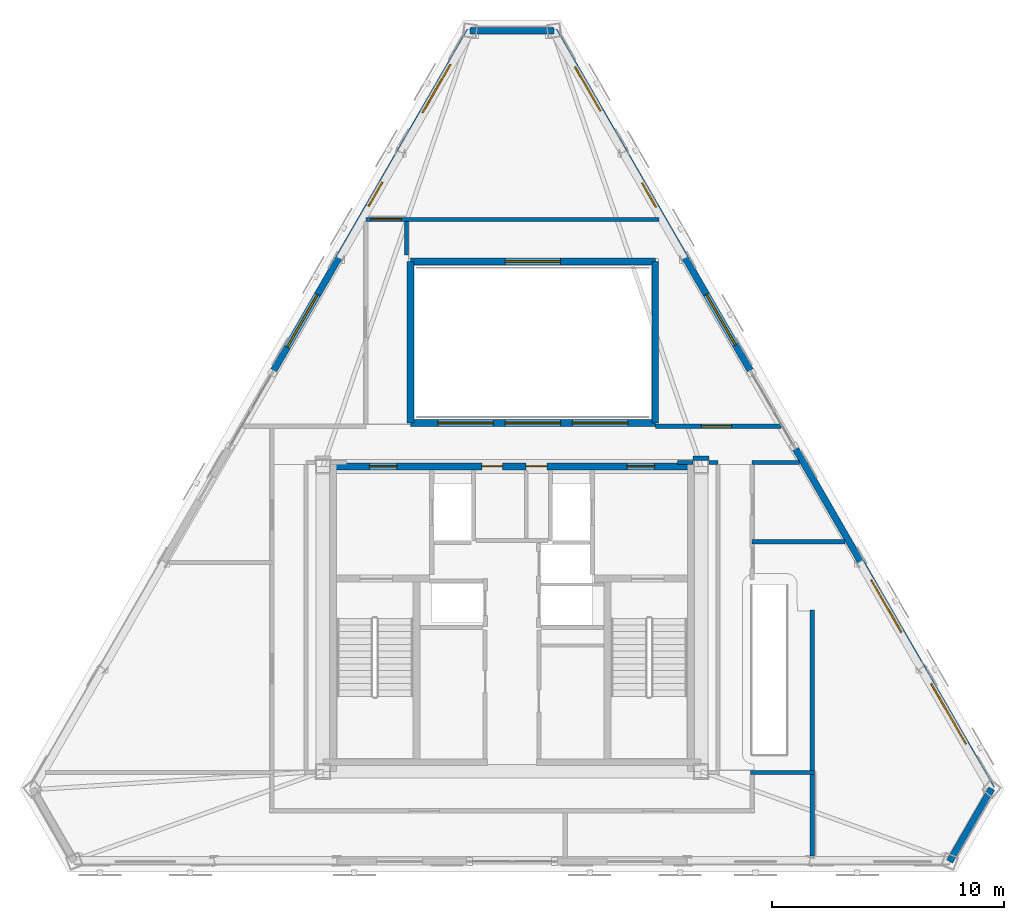
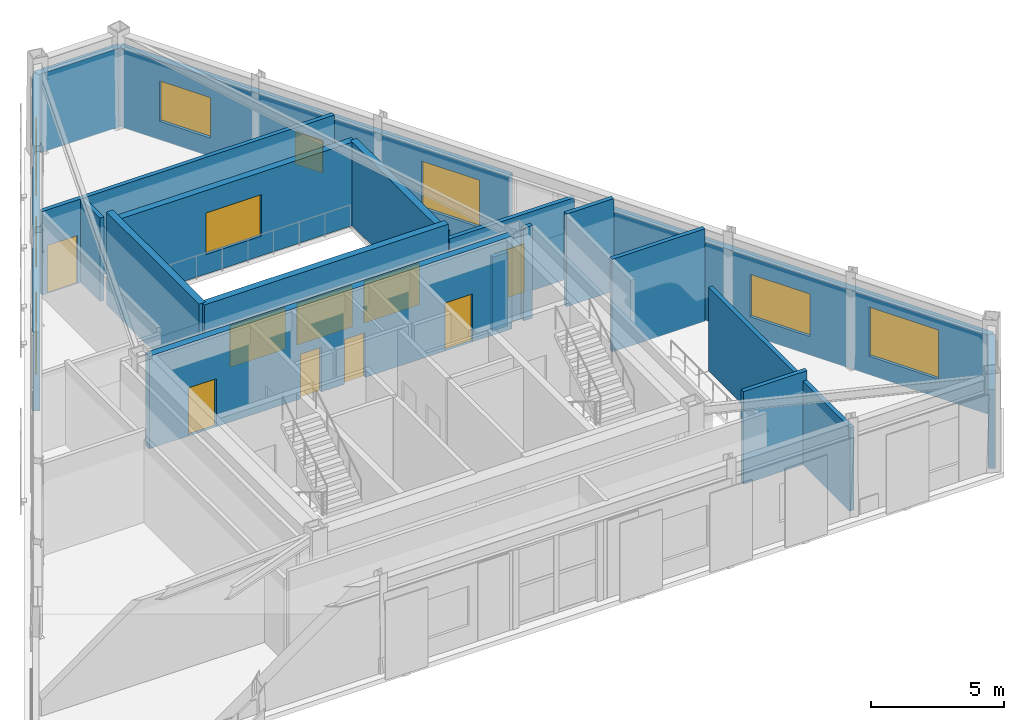
# One storey, part 10 of 14: 20 walls, 12 windows, 6 doors, 18 openings.
"""IFC4 building model written with IfcOpenShell, lengths in metres."""

from ifc_helpers import new_model, si_unit, direction, frame, frame_2d, origin, place, context, subcontext, project, spatial, rectangle, extrude, material, layer, layer_set, type_object, element, fill, save


model = new_model("IFC4")

# Units and contexts
model_context = context("Model", 3, precision=1e-05, world=origin(), true_north=direction((0.0, 1.0)))
body_context = subcontext(model_context, "Body", "Model", "MODEL_VIEW")
ifc_project = project(units=[si_unit("LENGTHUNIT", "METRE"), si_unit("AREAUNIT", "SQUARE_METRE"), si_unit("VOLUMEUNIT", "CUBIC_METRE"), si_unit("PLANEANGLEUNIT", "RADIAN"), si_unit("MASSUNIT", "GRAM", prefix="KILO")], contexts=[model_context])

# Site, building, storey
site_placement = place(None, origin())
site = spatial("IfcSite", under=ifc_project, at=site_placement, CompositionType="ELEMENT")
building_placement = place(site_placement, origin())
building = spatial("IfcBuilding", under=site, at=building_placement, Name="Oramaril Tower", CompositionType="ELEMENT")
storey_placement = place(building_placement, frame((0.0, 0.0, 309.60009765625)))
storey = spatial("IfcBuildingStorey", under=building, at=storey_placement, Name="L81", CompositionType="ELEMENT", Elevation=309.60009765625)

# Wall
ifc_material_1 = material(Name="Warm Cream Limestone", Category="masonry")
ifc_layer_1 = layer(ifc_material_1, 0.2900390625)
ifc_layer_set_1 = layer_set([ifc_layer_1], Name="WT-EXT29")
wall_type_1 = type_object("IfcWallType", Name="WT-EXT29", PredefinedType="SOLIDWALL", material=ifc_layer_set_1)
wall_1_placement = place(storey_placement, frame((56.37158203125, 7.109130859375, 0.0), z_axis=(0.0, 0.0, 1.0), x_axis=(0.499959265134, 0.866048920793, 0.0)))
element("IfcWall", 1, at=wall_1_placement, inside=storey, type_object=wall_type_1, Name="L81 Tower Limestone Facade Wall 3M", PredefinedType="SOLIDWALL", context=body_context, shape_type="SweptSolid", body=[
    extrude(rectangle(XDim=3.629150390625, YDim=0.2900390625, at=frame_2d((1.814453125, 0.0))), origin(), (0.0, 0.0, 1.0), 3.617919921875),
])

# Wall, openings, windows
wall_2_placement = place(storey_placement, frame((58.18603515625, 10.252197265625, 0.0), z_axis=(0.0, 0.0, 1.0), x_axis=(-0.500001379048, 0.866024607589, 0.0)))
wall_2 = element("IfcWall", 2, at=wall_2_placement, inside=storey, type_object=wall_type_1, Name="L81 Tower Limestone Facade Wall 4L", PredefinedType="SOLIDWALL", context=body_context, shape_type="SweptSolid", body=[
    extrude(rectangle(XDim=16.92138671875, YDim=0.2900390625, at=frame_2d((8.460693359375, 0.0))), origin(), (0.0, 0.0, 1.0), 3.617919921875),
])
opening_1_placement = place(wall_2_placement, frame((2.221923828125, 0.0, 0.85009765625)))
opening_1 = element("IfcOpeningElement", 3, at=opening_1_placement, cuts=wall_2, Name="Opening WN-10", PredefinedType="OPENING", context=body_context, shape_type="SweptSolid", body=[
    extrude(rectangle(XDim=3.0, YDim=2.25, at=frame_2d((1.5, 1.125))), frame((0.0, 0.14501953125, 0.0), z_axis=(0.0, -1.0, 0.0), x_axis=(1.0, 0.0, 0.0)), (0.0, 0.0, 1.0), 0.2900390625),
])
opening_2_placement = place(wall_2_placement, frame((7.7880859375, 0.0, 0.85009765625)))
opening_2 = element("IfcOpeningElement", 4, at=opening_2_placement, cuts=wall_2, Name="Opening WN-02", PredefinedType="OPENING", context=body_context, shape_type="SweptSolid", body=[
    extrude(rectangle(XDim=2.60009765625, YDim=1.949951171875, at=frame_2d((1.300048828125, 0.97509765625))), frame((0.0, 0.14501953125, 0.0), z_axis=(0.0, -1.0, 0.0), x_axis=(1.0, 0.0, 0.0)), (0.0, 0.0, 1.0), 0.2900390625),
])
ifc_material_2 = material(Name="Coastal Low-E Insulated Glass", Category="glass")
window_type_1 = type_object("IfcWindowType", Name="WNT-02", PartitioningType="SINGLE_PANEL", PredefinedType="WINDOW", material=ifc_material_2)
window_1_placement = place(opening_2_placement, origin())
window_1 = element("IfcWindow", 5, at=window_1_placement, inside=storey, type_object=window_type_1, Name="L81 Chicago Bay Window WN-02", OverallHeight=1.949951171875, OverallWidth=2.60009765625, PartitioningType="SINGLE_PANEL", PredefinedType="WINDOW", context=body_context, shape_type="SweptSolid", body=[
    extrude(rectangle(XDim=2.60009765625, YDim=1.949951171875, at=frame_2d((1.300048828125, 0.97509765625))), frame((0.0, 0.030029296875, 0.0), z_axis=(0.0, -1.0, 0.0), x_axis=(1.0, 0.0, 0.0)), (0.0, 0.0, 1.0), 0.06005859375),
])
fill(opening_2, window_1)
ifc_material_3 = material(Name="Coastal Low-E Insulated Glass", Category="glass")
window_type_2 = type_object("IfcWindowType", Name="WNT-10", PartitioningType="SINGLE_PANEL", PredefinedType="WINDOW", material=ifc_material_3)
window_2_placement = place(opening_1_placement, origin())
window_2 = element("IfcWindow", 6, at=window_2_placement, inside=storey, type_object=window_type_2, Name="L81 Chicago Bay Window WN-10", OverallHeight=2.25, OverallWidth=3.0, PartitioningType="SINGLE_PANEL", PredefinedType="WINDOW", context=body_context, shape_type="SweptSolid", body=[
    extrude(rectangle(XDim=3.0, YDim=2.25, at=frame_2d((1.5, 1.125))), frame((0.0, 0.030029296875, 0.0), z_axis=(0.0, -1.0, 0.0), x_axis=(1.0, 0.0, 0.0)), (0.0, 0.0, 1.0), 0.06005859375),
])
fill(opening_1, window_2)

wall_3_placement = place(storey_placement, frame((47.775390625, 28.2841796875, 0.0), z_axis=(0.0, 0.0, 1.0), x_axis=(-0.500005952404, 0.866021967135, 0.0)))
wall_3 = element("IfcWall", 7, at=wall_3_placement, inside=storey, type_object=wall_type_1, Name="L81 Tower Limestone Facade Wall 4R", PredefinedType="SOLIDWALL", context=body_context, shape_type="SweptSolid", body=[
    extrude(rectangle(XDim=16.921630859375, YDim=0.2900390625, at=frame_2d((8.4609375, 0.0))), origin(), (0.0, 0.0, 1.0), 3.617919921875),
])
opening_3_placement = place(wall_3_placement, frame((1.279052734375, 0.0, 0.85009765625)))
opening_3 = element("IfcOpeningElement", 8, at=opening_3_placement, cuts=wall_3, Name="Opening WN-11", PredefinedType="OPENING", context=body_context, shape_type="SweptSolid", body=[
    extrude(rectangle(XDim=2.5, YDim=2.14990234375, at=frame_2d((1.25, 1.074951171875))), frame((0.0, 0.14501953125, 0.0), z_axis=(0.0, -1.0, 0.0), x_axis=(1.0, 0.0, 0.0)), (0.0, 0.0, 1.0), 0.2900390625),
])
opening_4_placement = place(wall_3_placement, frame((8.1337890625, 0.0, 0.85009765625)))
opening_4 = element("IfcOpeningElement", 9, at=opening_4_placement, cuts=wall_3, Name="Opening WN-09", PredefinedType="OPENING", context=body_context, shape_type="SweptSolid", body=[
    extrude(rectangle(XDim=1.199951171875, YDim=1.47998046875, at=frame_2d((0.60009765625, 0.739990234375))), frame((0.0, 0.14501953125, 0.0), z_axis=(0.0, -1.0, 0.0), x_axis=(1.0, 0.0, 0.0)), (0.0, 0.0, 1.0), 0.2900390625),
])
opening_5_placement = place(wall_3_placement, frame((12.92578125, 0.0, 0.85009765625)))
opening_5 = element("IfcOpeningElement", 10, at=opening_5_placement, cuts=wall_3, Name="Opening WN-04", PredefinedType="OPENING", context=body_context, shape_type="SweptSolid", body=[
    extrude(rectangle(XDim=2.199951171875, YDim=1.85009765625, at=frame_2d((1.10009765625, 0.925048828125))), frame((0.0, 0.14501953125, 0.0), z_axis=(0.0, -1.0, 0.0), x_axis=(1.0, 0.0, 0.0)), (0.0, 0.0, 1.0), 0.2900390625),
])
ifc_material_4 = material(Name="Coastal Low-E Insulated Glass", Category="glass")
window_type_3 = type_object("IfcWindowType", Name="WNT-04", PartitioningType="SINGLE_PANEL", PredefinedType="WINDOW", material=ifc_material_4)
window_3_placement = place(opening_5_placement, origin())
window_3 = element("IfcWindow", 11, at=window_3_placement, inside=storey, type_object=window_type_3, Name="L81 Chicago Bay Window WN-04", OverallHeight=1.85009765625, OverallWidth=2.199951171875, PartitioningType="SINGLE_PANEL", PredefinedType="WINDOW", context=body_context, shape_type="SweptSolid", body=[
    extrude(rectangle(XDim=2.199951171875, YDim=1.85009765625, at=frame_2d((1.10009765625, 0.925048828125))), frame((0.0, 0.030029296875, 0.0), z_axis=(0.0, -1.0, 0.0), x_axis=(1.0, 0.0, 0.0)), (0.0, 0.0, 1.0), 0.06005859375),
])
fill(opening_5, window_3)
ifc_material_5 = material(Name="Coastal Low-E Insulated Glass", Category="glass")
window_type_4 = type_object("IfcWindowType", Name="WNT-09", PartitioningType="SINGLE_PANEL", PredefinedType="WINDOW", material=ifc_material_5)
window_4_placement = place(opening_4_placement, origin())
window_4 = element("IfcWindow", 12, at=window_4_placement, inside=storey, type_object=window_type_4, Name="L81 Chicago Bay Window WN-09", OverallHeight=1.47998046875, OverallWidth=1.199951171875, PartitioningType="SINGLE_PANEL", PredefinedType="WINDOW", context=body_context, shape_type="SweptSolid", body=[
    extrude(rectangle(XDim=1.199951171875, YDim=1.47998046875, at=frame_2d((0.60009765625, 0.739990234375))), frame((0.0, 0.030029296875, 0.0), z_axis=(0.0, -1.0, 0.0), x_axis=(1.0, 0.0, 0.0)), (0.0, 0.0, 1.0), 0.06005859375),
])
fill(opening_4, window_4)
ifc_material_6 = material(Name="Coastal Low-E Insulated Glass", Category="glass")
window_type_5 = type_object("IfcWindowType", Name="WNT-11", PartitioningType="SINGLE_PANEL", PredefinedType="WINDOW", material=ifc_material_6)
window_5_placement = place(opening_3_placement, origin())
window_5 = element("IfcWindow", 13, at=window_5_placement, inside=storey, type_object=window_type_5, Name="L81 Chicago Bay Window WN-11", OverallHeight=2.14990234375, OverallWidth=2.5, PartitioningType="SINGLE_PANEL", PredefinedType="WINDOW", context=body_context, shape_type="SweptSolid", body=[
    extrude(rectangle(XDim=2.5, YDim=2.14990234375, at=frame_2d((1.25, 1.074951171875))), frame((0.0, 0.030029296875, 0.0), z_axis=(0.0, -1.0, 0.0), x_axis=(1.0, 0.0, 0.0)), (0.0, 0.0, 1.0), 0.06005859375),
])
fill(opening_3, window_5)

# Wall
wall_4_placement = place(storey_placement, frame((39.314453125, 42.938720703125, 0.0), z_axis=(0.0, 0.0, 1.0), x_axis=(-1.0, 0.0, 0.0)))
element("IfcWall", 14, at=wall_4_placement, inside=storey, type_object=wall_type_1, Name="L81 Tower Limestone Facade Wall 5M", PredefinedType="SOLIDWALL", context=body_context, shape_type="SweptSolid", body=[
    extrude(rectangle(XDim=3.62890625, YDim=0.2900390625, at=frame_2d((1.814453125, 0.0))), origin(), (0.0, 0.0, 1.0), 3.617919921875),
])

# Wall, openings, windows
wall_5_placement = place(storey_placement, frame((35.685546875, 42.938720703125, 0.0), z_axis=(0.0, 0.0, 1.0), x_axis=(-0.500005952404, -0.866021967135, 0.0)))
wall_5 = element("IfcWall", 15, at=wall_5_placement, inside=storey, type_object=wall_type_1, Name="L81 Tower Limestone Facade Wall 6L", PredefinedType="SOLIDWALL", context=body_context, shape_type="SweptSolid", body=[
    extrude(rectangle(XDim=16.921630859375, YDim=0.2900390625, at=frame_2d((8.4609375, 0.0))), origin(), (0.0, 0.0, 1.0), 3.617919921875),
])
opening_6_placement = place(wall_5_placement, frame((13.1494140625, 0.0, 0.85009765625)))
opening_6 = element("IfcOpeningElement", 16, at=opening_6_placement, cuts=wall_5, Name="Opening WN-02", PredefinedType="OPENING", context=body_context, shape_type="SweptSolid", body=[
    extrude(rectangle(XDim=2.60009765625, YDim=1.949951171875, at=frame_2d((1.300048828125, 0.97509765625))), frame((0.0, 0.14501953125, 0.0), z_axis=(0.0, -1.0, 0.0), x_axis=(1.0, 0.0, 0.0)), (0.0, 0.0, 1.0), 0.2900390625),
])
opening_7_placement = place(wall_5_placement, frame((1.681640625, 0.0, 0.85009765625)))
opening_7 = element("IfcOpeningElement", 17, at=opening_7_placement, cuts=wall_5, Name="Opening WN-03", PredefinedType="OPENING", context=body_context, shape_type="SweptSolid", body=[
    extrude(rectangle(XDim=2.39990234375, YDim=1.89990234375, at=frame_2d((1.199951171875, 0.949951171875))), frame((0.0, 0.14501953125, 0.0), z_axis=(0.0, -1.0, 0.0), x_axis=(1.0, 0.0, 0.0)), (0.0, 0.0, 1.0), 0.2900390625),
])
opening_8_placement = place(wall_5_placement, frame((7.544677734375, 0.0, 0.85009765625)))
opening_8 = element("IfcOpeningElement", 18, at=opening_8_placement, cuts=wall_5, Name="Opening WN-09", PredefinedType="OPENING", context=body_context, shape_type="SweptSolid", body=[
    extrude(rectangle(XDim=1.199951171875, YDim=1.47998046875, at=frame_2d((0.60009765625, 0.739990234375))), frame((0.0, 0.14501953125, 0.0), z_axis=(0.0, -1.0, 0.0), x_axis=(1.0, 0.0, 0.0)), (0.0, 0.0, 1.0), 0.2900390625),
])
window_6_placement = place(opening_6_placement, origin())
window_6 = element("IfcWindow", 19, at=window_6_placement, inside=storey, type_object=window_type_1, Name="L81 Chicago Bay Window WN-02", OverallHeight=1.949951171875, OverallWidth=2.60009765625, PartitioningType="SINGLE_PANEL", PredefinedType="WINDOW", context=body_context, shape_type="SweptSolid", body=[
    extrude(rectangle(XDim=2.60009765625, YDim=1.949951171875, at=frame_2d((1.300048828125, 0.97509765625))), frame((0.0, 0.030029296875, 0.0), z_axis=(0.0, -1.0, 0.0), x_axis=(1.0, 0.0, 0.0)), (0.0, 0.0, 1.0), 0.06005859375),
])
fill(opening_6, window_6)
ifc_material_7 = material(Name="Coastal Low-E Insulated Glass", Category="glass")
window_type_6 = type_object("IfcWindowType", Name="WNT-03", PartitioningType="SINGLE_PANEL", PredefinedType="WINDOW", material=ifc_material_7)
window_7_placement = place(opening_7_placement, origin())
window_7 = element("IfcWindow", 20, at=window_7_placement, inside=storey, type_object=window_type_6, Name="L81 Chicago Bay Window WN-03", OverallHeight=1.89990234375, OverallWidth=2.39990234375, PartitioningType="SINGLE_PANEL", PredefinedType="WINDOW", context=body_context, shape_type="SweptSolid", body=[
    extrude(rectangle(XDim=2.39990234375, YDim=1.89990234375, at=frame_2d((1.199951171875, 0.949951171875))), frame((0.0, 0.030029296875, 0.0), z_axis=(0.0, -1.0, 0.0), x_axis=(1.0, 0.0, 0.0)), (0.0, 0.0, 1.0), 0.06005859375),
])
fill(opening_7, window_7)
window_8_placement = place(opening_8_placement, origin())
window_8 = element("IfcWindow", 21, at=window_8_placement, inside=storey, type_object=window_type_4, Name="L81 Chicago Bay Window WN-09", OverallHeight=1.47998046875, OverallWidth=1.199951171875, PartitioningType="SINGLE_PANEL", PredefinedType="WINDOW", context=body_context, shape_type="SweptSolid", body=[
    extrude(rectangle(XDim=1.199951171875, YDim=1.47998046875, at=frame_2d((0.60009765625, 0.739990234375))), frame((0.0, 0.030029296875, 0.0), z_axis=(0.0, -1.0, 0.0), x_axis=(1.0, 0.0, 0.0)), (0.0, 0.0, 1.0), 0.06005859375),
])
fill(opening_8, window_8)

wall_6_placement = place(storey_placement, frame((33.1201171875, 26.02001953125, 0.0), z_axis=(0.0, 0.0, 1.0), x_axis=(1.0, 0.0, 0.0)))
wall_6 = element("IfcWall", 22, at=wall_6_placement, inside=storey, type_object=wall_type_1, Name="L81 Wind Portal S Observatory Wall", PredefinedType="SOLIDWALL", context=body_context, shape_type="SweptSolid", body=[
    extrude(rectangle(XDim=10.559814453125, YDim=0.2900390625, at=frame_2d((5.27978515625, 0.0))), origin(), (0.0, 0.0, 1.0), 4.239990234375),
])
opening_9_placement = place(wall_6_placement, frame((1.179931640625, 0.0, 0.89990234375)))
opening_9 = element("IfcOpeningElement", 23, at=opening_9_placement, cuts=wall_6, Name="Opening WN-03", PredefinedType="OPENING", context=body_context, shape_type="SweptSolid", body=[
    extrude(rectangle(XDim=2.39990234375, YDim=1.89990234375, at=frame_2d((1.199951171875, 0.949951171875))), frame((0.0, 0.14501953125, 0.0), z_axis=(0.0, -1.0, 0.0), x_axis=(1.0, 0.0, 0.0)), (0.0, 0.0, 1.0), 0.2900390625),
])
opening_10_placement = place(wall_6_placement, frame((4.080078125, 0.0, 0.89990234375)))
opening_10 = element("IfcOpeningElement", 24, at=opening_10_placement, cuts=wall_6, Name="Opening WN-03", PredefinedType="OPENING", context=body_context, shape_type="SweptSolid", body=[
    extrude(rectangle(XDim=2.39990234375, YDim=1.89990234375, at=frame_2d((1.199951171875, 0.949951171875))), frame((0.0, 0.14501953125, 0.0), z_axis=(0.0, -1.0, 0.0), x_axis=(1.0, 0.0, 0.0)), (0.0, 0.0, 1.0), 0.2900390625),
])
opening_11_placement = place(wall_6_placement, frame((6.97998046875, 0.0, 0.89990234375)))
opening_11 = element("IfcOpeningElement", 25, at=opening_11_placement, cuts=wall_6, Name="Opening WN-03", PredefinedType="OPENING", context=body_context, shape_type="SweptSolid", body=[
    extrude(rectangle(XDim=2.39990234375, YDim=1.89990234375, at=frame_2d((1.199951171875, 0.949951171875))), frame((0.0, 0.14501953125, 0.0), z_axis=(0.0, -1.0, 0.0), x_axis=(1.0, 0.0, 0.0)), (0.0, 0.0, 1.0), 0.2900390625),
])
window_9_placement = place(opening_9_placement, origin())
window_9 = element("IfcWindow", 26, at=window_9_placement, inside=storey, type_object=window_type_6, Name="L81 Wind Portal Observatory Window 1", OverallHeight=1.89990234375, OverallWidth=2.39990234375, PartitioningType="SINGLE_PANEL", PredefinedType="WINDOW", context=body_context, shape_type="SweptSolid", body=[
    extrude(rectangle(XDim=2.39990234375, YDim=1.89990234375, at=frame_2d((1.199951171875, 0.949951171875))), frame((0.0, 0.030029296875, 0.0), z_axis=(0.0, -1.0, 0.0), x_axis=(1.0, 0.0, 0.0)), (0.0, 0.0, 1.0), 0.06005859375),
])
fill(opening_9, window_9)
window_10_placement = place(opening_10_placement, origin())
window_10 = element("IfcWindow", 27, at=window_10_placement, inside=storey, type_object=window_type_6, Name="L81 Wind Portal Observatory Window 2", OverallHeight=1.89990234375, OverallWidth=2.39990234375, PartitioningType="SINGLE_PANEL", PredefinedType="WINDOW", context=body_context, shape_type="SweptSolid", body=[
    extrude(rectangle(XDim=2.39990234375, YDim=1.89990234375, at=frame_2d((1.199951171875, 0.949951171875))), frame((0.0, 0.030029296875, 0.0), z_axis=(0.0, -1.0, 0.0), x_axis=(1.0, 0.0, 0.0)), (0.0, 0.0, 1.0), 0.06005859375),
])
fill(opening_10, window_10)
window_11_placement = place(opening_11_placement, origin())
window_11 = element("IfcWindow", 28, at=window_11_placement, inside=storey, type_object=window_type_6, Name="L81 Wind Portal Observatory Window 3", OverallHeight=1.89990234375, OverallWidth=2.39990234375, PartitioningType="SINGLE_PANEL", PredefinedType="WINDOW", context=body_context, shape_type="SweptSolid", body=[
    extrude(rectangle(XDim=2.39990234375, YDim=1.89990234375, at=frame_2d((1.199951171875, 0.949951171875))), frame((0.0, 0.030029296875, 0.0), z_axis=(0.0, -1.0, 0.0), x_axis=(1.0, 0.0, 0.0)), (0.0, 0.0, 1.0), 0.06005859375),
])
fill(opening_11, window_11)

# Wall, opening, window
wall_7_placement = place(storey_placement, frame((33.1201171875, 32.97998046875, 0.0), z_axis=(0.0, 0.0, 1.0), x_axis=(1.0, 0.0, 0.0)))
wall_7 = element("IfcWall", 29, at=wall_7_placement, inside=storey, type_object=wall_type_1, Name="L81 Wind Portal N Observatory Wall", PredefinedType="SOLIDWALL", context=body_context, shape_type="SweptSolid", body=[
    extrude(rectangle(XDim=10.559814453125, YDim=0.2900390625, at=frame_2d((5.27978515625, 0.0))), origin(), (0.0, 0.0, 1.0), 3.825927734375),
])
opening_12_placement = place(wall_7_placement, frame((4.080078125, 0.0, 0.89990234375)))
opening_12 = element("IfcOpeningElement", 30, at=opening_12_placement, cuts=wall_7, Name="Opening WN-03", PredefinedType="OPENING", context=body_context, shape_type="SweptSolid", body=[
    extrude(rectangle(XDim=2.39990234375, YDim=1.89990234375, at=frame_2d((1.199951171875, 0.949951171875))), frame((0.0, 0.14501953125, 0.0), z_axis=(0.0, -1.0, 0.0), x_axis=(1.0, 0.0, 0.0)), (0.0, 0.0, 1.0), 0.2900390625),
])
window_12_placement = place(opening_12_placement, origin())
window_12 = element("IfcWindow", 31, at=window_12_placement, inside=storey, type_object=window_type_6, Name="L81 Wind Portal North Observatory Window", OverallHeight=1.89990234375, OverallWidth=2.39990234375, PartitioningType="SINGLE_PANEL", PredefinedType="WINDOW", context=body_context, shape_type="SweptSolid", body=[
    extrude(rectangle(XDim=2.39990234375, YDim=1.89990234375, at=frame_2d((1.199951171875, 0.949951171875))), frame((0.0, 0.030029296875, 0.0), z_axis=(0.0, -1.0, 0.0), x_axis=(1.0, 0.0, 0.0)), (0.0, 0.0, 1.0), 0.06005859375),
])
fill(opening_12, window_12)

# Walls
wall_8_placement = place(storey_placement, frame((33.1201171875, 26.02001953125, 0.0), z_axis=(0.0, 0.0, 1.0), x_axis=(0.0, 1.0, 0.0)))
element("IfcWall", 32, at=wall_8_placement, inside=storey, type_object=wall_type_1, Name="L81 Wind Portal W Observatory Wall", PredefinedType="SOLIDWALL", context=body_context, shape_type="SweptSolid", body=[
    extrude(rectangle(XDim=6.9599609375, YDim=0.2900390625, at=frame_2d((3.47998046875, 0.0))), origin(), (0.0, 0.0, 1.0), 4.239990234375),
])
wall_9_placement = place(storey_placement, frame((43.679931640625, 26.02001953125, 0.0), z_axis=(0.0, 0.0, 1.0), x_axis=(0.0, 1.0, 0.0)))
element("IfcWall", 33, at=wall_9_placement, inside=storey, type_object=wall_type_1, Name="L81 Wind Portal E Observatory Wall", PredefinedType="SOLIDWALL", context=body_context, shape_type="SweptSolid", body=[
    extrude(rectangle(XDim=6.9599609375, YDim=0.2900390625, at=frame_2d((3.47998046875, 0.0))), origin(), (0.0, 0.0, 1.0), 3.825927734375),
])
ifc_material_8 = material(Name="Autoclaved Cellular Concrete Block", Category="concrete")
ifc_layer_2 = layer(ifc_material_8, 0.179931640625)
ifc_layer_set_2 = layer_set([ifc_layer_2], Name="WT-PT18")
wall_type_2 = type_object("IfcWallType", Name="WT-PT18", PredefinedType="PARTITIONING", material=ifc_layer_set_2)
wall_10_placement = place(storey_placement, frame((47.7900390625, 10.949951171875, 0.0), z_axis=(0.0, 0.0, 1.0), x_axis=(1.0, 0.0, 0.0)))
element("IfcWall", 34, at=wall_10_placement, inside=storey, type_object=wall_type_2, Name="L81 Interior Partition PT-18", PredefinedType="PARTITIONING", context=body_context, shape_type="SweptSolid", body=[
    extrude(rectangle(XDim=2.760009765625, YDim=0.179931640625, at=frame_2d((1.3798828125, 0.0))), origin(), (0.0, 0.0, 1.0), 4.239990234375),
])
wall_11_placement = place(storey_placement, frame((47.85009765625, 20.89990234375, 0.0), z_axis=(0.0, 0.0, 1.0), x_axis=(1.0, 0.0, 0.0)))
element("IfcWall", 35, at=wall_11_placement, inside=storey, type_object=wall_type_2, Name="L81 Interior Partition PT-18", PredefinedType="PARTITIONING", context=body_context, shape_type="SweptSolid", body=[
    extrude(rectangle(XDim=4.016357421875, YDim=0.179931640625, at=frame_2d((2.00830078125, 0.0))), origin(), (0.0, 0.0, 1.0), 4.239990234375),
])
wall_12_placement = place(storey_placement, frame((44.64501953125, 24.320068359375, 0.0), z_axis=(0.0, 0.0, 1.0), x_axis=(1.0, 0.0, 0.0)))
element("IfcWall", 36, at=wall_12_placement, inside=storey, type_object=wall_type_2, Name="L81 Interior Partition PT-18", PredefinedType="PARTITIONING", context=body_context, shape_type="SweptSolid", body=[
    extrude(rectangle(XDim=0.6650390625, YDim=0.179931640625, at=frame_2d((0.33251953125, 0.0))), origin(), (0.0, 0.0, 1.0), 3.3798828125),
])
wall_13_placement = place(storey_placement, frame((45.989990234375, 24.320068359375, 0.0), z_axis=(0.0, 0.0, 1.0), x_axis=(1.0, 0.0, 0.0)))
element("IfcWall", 37, at=wall_13_placement, inside=storey, type_object=wall_type_2, Name="L81 Interior Partition PT-18", PredefinedType="PARTITIONING", context=body_context, shape_type="SweptSolid", body=[
    extrude(rectangle(XDim=0.389892578125, YDim=0.179931640625, at=frame_2d((0.19482421875, 0.0))), origin(), (0.0, 0.0, 1.0), 4.239990234375),
])
wall_14_placement = place(storey_placement, frame((47.85009765625, 24.320068359375, 0.0), z_axis=(0.0, 0.0, 1.0), x_axis=(1.0, 0.0, 0.0)))
element("IfcWall", 38, at=wall_14_placement, inside=storey, type_object=wall_type_2, Name="L81 Interior Partition PT-18", PredefinedType="PARTITIONING", context=body_context, shape_type="SweptSolid", body=[
    extrude(rectangle(XDim=2.041748046875, YDim=0.179931640625, at=frame_2d((1.02099609375, 0.0))), origin(), (0.0, 0.0, 1.0), 4.239990234375),
])
wall_15_placement = place(storey_placement, frame((45.304931640625, 24.5, 0.0), z_axis=(0.0, 0.0, 1.0), x_axis=(1.0, 0.0, 0.0)))
element("IfcWall", 39, at=wall_15_placement, inside=storey, type_object=wall_type_2, Name="L81 Interior Partition PT-18", PredefinedType="PARTITIONING", context=body_context, shape_type="SweptSolid", body=[
    extrude(rectangle(XDim=0.690185546875, YDim=0.179931640625, at=frame_2d((0.34521484375, 0.0))), origin(), (0.0, 0.0, 1.0), 3.825927734375),
])

# Wall, opening, door
wall_16_placement = place(storey_placement, frame((43.679931640625, 25.8798828125, 0.0), z_axis=(0.0, 0.0, 1.0), x_axis=(1.0, 0.0, 0.0)))
wall_16 = element("IfcWall", 40, at=wall_16_placement, inside=storey, type_object=wall_type_2, Name="L81 Interior Partition PT-18", PredefinedType="PARTITIONING", context=body_context, shape_type="SweptSolid", body=[
    extrude(rectangle(XDim=5.419677734375, YDim=0.179931640625, at=frame_2d((2.7099609375, 0.0))), origin(), (0.0, 0.0, 1.0), 3.617919921875),
])
opening_13_placement = place(wall_16_placement, frame((1.99169921875, 0.0, 0.0)))
opening_13 = element("IfcOpeningElement", 41, at=opening_13_placement, cuts=wall_16, Name="Opening D-L81-03", PredefinedType="OPENING", context=body_context, shape_type="SweptSolid", body=[
    extrude(rectangle(XDim=1.300048828125, YDim=2.199951171875, at=frame_2d((0.64990234375, 1.10009765625))), frame((0.0, 0.08984375, 0.0), z_axis=(0.0, -1.0, 0.0), x_axis=(1.0, 0.0, 0.0)), (0.0, 0.0, 1.0), 0.179931640625),
])
ifc_material_9 = material(Name="FSC Brazilian Freijo Hardwood", Category="wood")
door_type_1 = type_object("IfcDoorType", Name="DT-COM", OperationType="NOTDEFINED", PredefinedType="DOOR", material=ifc_material_9)
door_1_placement = place(opening_13_placement, origin())
door_1 = element("IfcDoor", 42, at=door_1_placement, inside=storey, type_object=door_type_1, Name="L81 L81 East Portal Viewing Salon Door D-L81-03", OperationType="SINGLE_SWING_LEFT", OverallHeight=2.199951171875, OverallWidth=1.300048828125, PredefinedType="DOOR", context=body_context, shape_type="SweptSolid", body=[
    extrude(rectangle(XDim=1.300048828125, YDim=2.199951171875, at=frame_2d((0.64990234375, 1.10009765625))), frame((0.0, 0.02490234375, 0.0), z_axis=(0.0, -1.0, 0.0), x_axis=(1.0, 0.0, 0.0)), (0.0, 0.0, 1.0), 0.050048828125),
])
fill(opening_13, door_1)

wall_17_placement = place(storey_placement, frame((31.199951171875, 34.800048828125, 0.0), z_axis=(0.0, 0.0, 1.0), x_axis=(1.0, 0.0, 0.0)))
wall_17 = element("IfcWall", 43, at=wall_17_placement, inside=storey, type_object=wall_type_2, Name="L81 Interior Partition PT-18", PredefinedType="PARTITIONING", context=body_context, shape_type="SweptSolid", body=[
    extrude(rectangle(XDim=12.641357421875, YDim=0.179931640625, at=frame_2d((6.32080078125, 0.0))), origin(), (0.0, 0.0, 1.0), 3.825927734375),
])
opening_14_placement = place(wall_17_placement, frame((0.22509765625, 0.0, 0.0)))
opening_14 = element("IfcOpeningElement", 44, at=opening_14_placement, cuts=wall_17, Name="Opening D-L81-04", PredefinedType="OPENING", context=body_context, shape_type="SweptSolid", body=[
    extrude(rectangle(XDim=1.300048828125, YDim=2.199951171875, at=frame_2d((0.64990234375, 1.10009765625))), frame((0.0, 0.08984375, 0.0), z_axis=(0.0, -1.0, 0.0), x_axis=(1.0, 0.0, 0.0)), (0.0, 0.0, 1.0), 0.179931640625),
])
door_2_placement = place(opening_14_placement, origin())
door_2 = element("IfcDoor", 45, at=door_2_placement, inside=storey, type_object=door_type_1, Name="L81 L81 North Starlight Observatory Salon Door D-L81-04", OperationType="SINGLE_SWING_RIGHT", OverallHeight=2.199951171875, OverallWidth=1.300048828125, PredefinedType="DOOR", context=body_context, shape_type="SweptSolid", body=[
    extrude(rectangle(XDim=1.300048828125, YDim=2.199951171875, at=frame_2d((0.64990234375, 1.10009765625))), frame((0.0, 0.02490234375, 0.0), z_axis=(0.0, -1.0, 0.0), x_axis=(1.0, 0.0, 0.0)), (0.0, 0.0, 1.0), 0.050048828125),
])
fill(opening_14, door_2)

# Walls
wall_18_placement = place(storey_placement, frame((32.949951171875, 33.260009765625, 0.0), z_axis=(0.0, 0.0, 1.0), x_axis=(0.0, 1.0, 0.0)))
element("IfcWall", 46, at=wall_18_placement, inside=storey, type_object=wall_type_2, Name="L81 Interior Partition PT-18", PredefinedType="PARTITIONING", context=body_context, shape_type="SweptSolid", body=[
    extrude(rectangle(XDim=1.446044921875, YDim=0.179931640625, at=frame_2d((0.72314453125, 0.0))), origin(), (0.0, 0.0, 1.0), 3.825927734375),
])
wall_19_placement = place(storey_placement, frame((50.449951171875, 7.33837890625, 0.0), z_axis=(0.0, 0.0, 1.0), x_axis=(0.0, 1.0, 0.0)))
element("IfcWall", 47, at=wall_19_placement, inside=storey, type_object=wall_type_2, Name="L81 Interior Partition PT-18", PredefinedType="PARTITIONING", context=body_context, shape_type="SweptSolid", body=[
    extrude(rectangle(XDim=10.611572265625, YDim=0.179931640625, at=frame_2d((5.3056640625, 0.0))), origin(), (0.0, 0.0, 1.0), 3.825927734375),
])

# Wall, openings, doors
ifc_material_10 = material(Name="Concrete C50/60", Category="concrete")
ifc_layer_3 = layer(ifc_material_10, 0.300048828125)
ifc_layer_set_3 = layer_set([ifc_layer_3], Name="WT-SH30")
wall_type_3 = type_object("IfcWallType", Name="WT-SH30", PredefinedType="SHEAR", material=ifc_layer_set_3)
wall_20_placement = place(storey_placement, frame((29.64990234375, 24.14990234375, 0.0), z_axis=(0.0, 0.0, 1.0), x_axis=(1.0, 0.0, 0.0)))
wall_20 = element("IfcWall", 48, at=wall_20_placement, inside=storey, type_object=wall_type_3, Name="L81 Core Shear Wall CW-N", PredefinedType="SHEAR", context=body_context, shape_type="SweptSolid", body=[
    extrude(rectangle(XDim=15.7001953125, YDim=0.300048828125, at=frame_2d((7.85009765625, 0.0))), origin(), (0.0, 0.0, 1.0), 4.239990234375),
])
opening_15_placement = place(wall_20_placement, frame((1.699951171875, 0.0, 0.0)))
opening_15 = element("IfcOpeningElement", 49, at=opening_15_placement, cuts=wall_20, Name="Opening D-L81-FFL1", PredefinedType="OPENING", context=body_context, shape_type="SweptSolid", body=[
    extrude(rectangle(XDim=1.199951171875, YDim=2.199951171875, at=frame_2d((0.60009765625, 1.10009765625))), frame((0.0, 0.14990234375, 0.0), z_axis=(0.0, -1.0, 0.0), x_axis=(1.0, 0.0, 0.0)), (0.0, 0.0, 1.0), 0.300048828125),
])
opening_16_placement = place(wall_20_placement, frame((12.800048828125, 0.0, 0.0)))
opening_16 = element("IfcOpeningElement", 50, at=opening_16_placement, cuts=wall_20, Name="Opening D-L81-FFL2", PredefinedType="OPENING", context=body_context, shape_type="SweptSolid", body=[
    extrude(rectangle(XDim=1.199951171875, YDim=2.199951171875, at=frame_2d((0.60009765625, 1.10009765625))), frame((0.0, 0.14990234375, 0.0), z_axis=(0.0, -1.0, 0.0), x_axis=(1.0, 0.0, 0.0)), (0.0, 0.0, 1.0), 0.300048828125),
])
opening_17_placement = place(wall_20_placement, frame((6.550048828125, 0.0, 0.0)))
opening_17 = element("IfcOpeningElement", 51, at=opening_17_placement, cuts=wall_20, Name="Opening D-L81-SV1", PredefinedType="OPENING", context=body_context, shape_type="SweptSolid", body=[
    extrude(rectangle(XDim=0.89990234375, YDim=2.050048828125, at=frame_2d((0.449951171875, 1.02490234375))), frame((0.0, 0.14990234375, 0.0), z_axis=(0.0, -1.0, 0.0), x_axis=(1.0, 0.0, 0.0)), (0.0, 0.0, 1.0), 0.300048828125),
])
opening_18_placement = place(wall_20_placement, frame((8.449951171875, 0.0, 0.0)))
opening_18 = element("IfcOpeningElement", 52, at=opening_18_placement, cuts=wall_20, Name="Opening D-L81-SV2", PredefinedType="OPENING", context=body_context, shape_type="SweptSolid", body=[
    extrude(rectangle(XDim=0.89990234375, YDim=2.050048828125, at=frame_2d((0.449951171875, 1.02490234375))), frame((0.0, 0.14990234375, 0.0), z_axis=(0.0, -1.0, 0.0), x_axis=(1.0, 0.0, 0.0)), (0.0, 0.0, 1.0), 0.300048828125),
])
ifc_material_11 = material(Name="Painted Galvanised Steel", Category="steel")
door_type_2 = type_object("IfcDoorType", Name="DT-FFL", OperationType="NOTDEFINED", PredefinedType="DOOR", material=ifc_material_11)
door_3_placement = place(opening_15_placement, origin())
door_3 = element("IfcDoor", 53, at=door_3_placement, inside=storey, type_object=door_type_2, Name="L81 Firefighting Lobby 1 Fire Door", OperationType="SINGLE_SWING_LEFT", OverallHeight=2.199951171875, OverallWidth=1.199951171875, PredefinedType="DOOR", context=body_context, shape_type="SweptSolid", body=[
    extrude(rectangle(XDim=1.199951171875, YDim=2.199951171875, at=frame_2d((0.60009765625, 1.10009765625))), frame((0.0, 0.02490234375, 0.0), z_axis=(0.0, -1.0, 0.0), x_axis=(1.0, 0.0, 0.0)), (0.0, 0.0, 1.0), 0.050048828125),
])
fill(opening_15, door_3)
door_4_placement = place(opening_16_placement, origin())
door_4 = element("IfcDoor", 54, at=door_4_placement, inside=storey, type_object=door_type_2, Name="L81 Firefighting Lobby 2 Fire Door", OperationType="SINGLE_SWING_RIGHT", OverallHeight=2.199951171875, OverallWidth=1.199951171875, PredefinedType="DOOR", context=body_context, shape_type="SweptSolid", body=[
    extrude(rectangle(XDim=1.199951171875, YDim=2.199951171875, at=frame_2d((0.60009765625, 1.10009765625))), frame((0.0, 0.02490234375, 0.0), z_axis=(0.0, -1.0, 0.0), x_axis=(1.0, 0.0, 0.0)), (0.0, 0.0, 1.0), 0.050048828125),
])
fill(opening_16, door_4)
ifc_material_12 = material(Name="Painted Galvanised Steel", Category="steel")
door_type_3 = type_object("IfcDoorType", Name="DT-SVC", OperationType="NOTDEFINED", PredefinedType="DOOR", material=ifc_material_12)
door_5_placement = place(opening_17_placement, origin())
door_5 = element("IfcDoor", 55, at=door_5_placement, inside=storey, type_object=door_type_3, Name="L81 Core Service Store 1 Door", OperationType="SINGLE_SWING_LEFT", OverallHeight=2.050048828125, OverallWidth=0.89990234375, PredefinedType="DOOR", context=body_context, shape_type="SweptSolid", body=[
    extrude(rectangle(XDim=0.89990234375, YDim=2.050048828125, at=frame_2d((0.449951171875, 1.02490234375))), frame((0.0, 0.02490234375, 0.0), z_axis=(0.0, -1.0, 0.0), x_axis=(1.0, 0.0, 0.0)), (0.0, 0.0, 1.0), 0.050048828125),
])
fill(opening_17, door_5)
door_6_placement = place(opening_18_placement, origin())
door_6 = element("IfcDoor", 56, at=door_6_placement, inside=storey, type_object=door_type_3, Name="L81 Core Service Store 2 Door", OperationType="SINGLE_SWING_RIGHT", OverallHeight=2.050048828125, OverallWidth=0.89990234375, PredefinedType="DOOR", context=body_context, shape_type="SweptSolid", body=[
    extrude(rectangle(XDim=0.89990234375, YDim=2.050048828125, at=frame_2d((0.449951171875, 1.02490234375))), frame((0.0, 0.02490234375, 0.0), z_axis=(0.0, -1.0, 0.0), x_axis=(1.0, 0.0, 0.0)), (0.0, 0.0, 1.0), 0.050048828125),
])
fill(opening_18, door_6)

save(model, "model.ifc")
